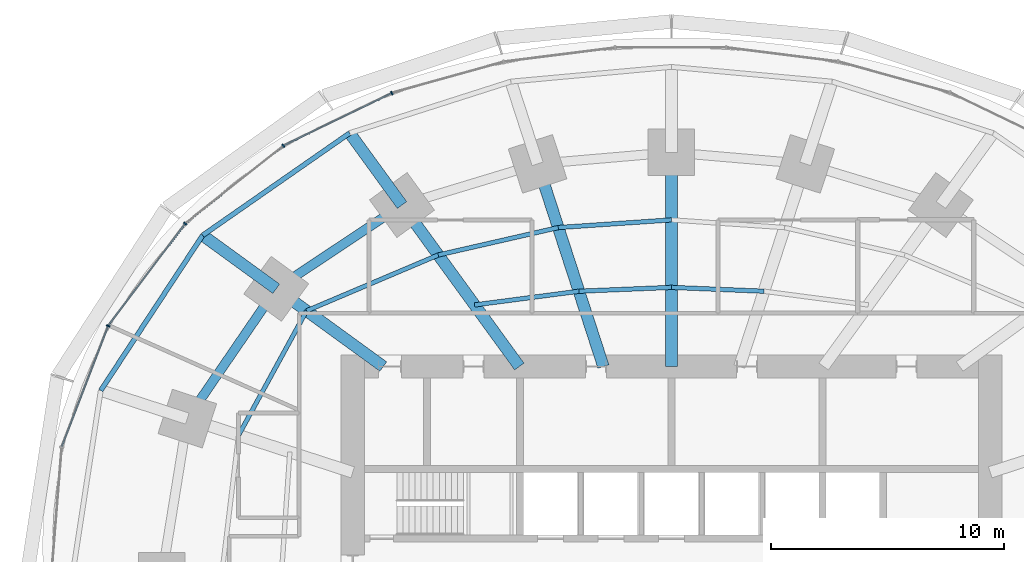
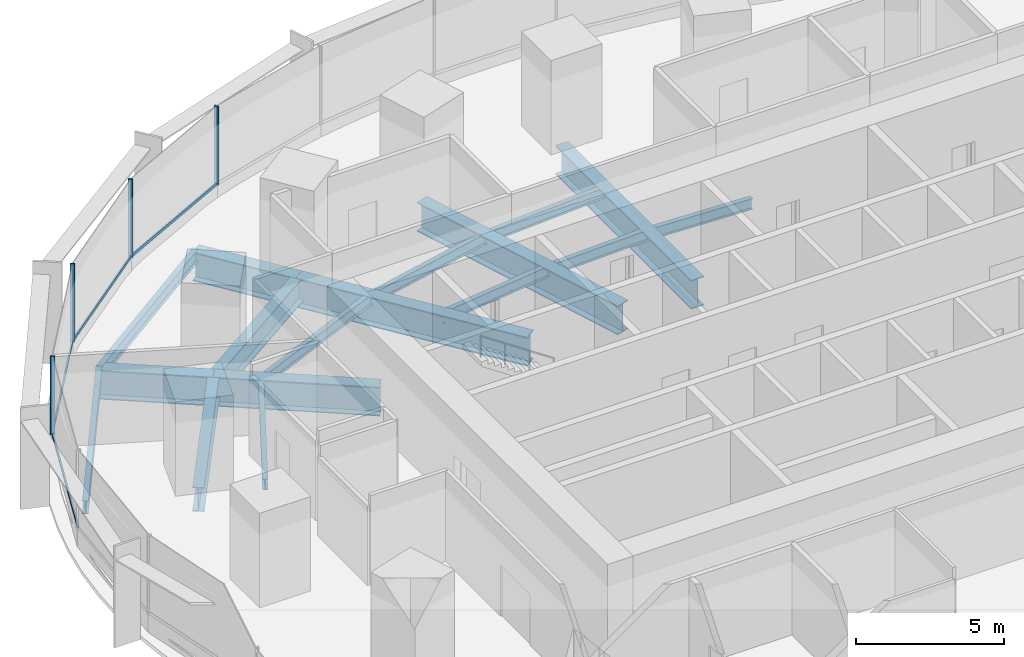
# One storey, part 7 of 15: 17 beams, 8 members, 1 element without a shape of its own.
"""IFC4 building model written with IfcOpenShell, lengths in metres."""

import ifcopenshell
import ifcopenshell.guid

model = None  # the IFC model being written
_history = None  # IfcOwnerHistory: only IFC2X3 demands one
_inside = {}  # id of a spatial element -> (the spatial element, [elements in it])
_under = {}  # id of a project, library or spatial element -> (it, [spatial elements below it])
_declared = {}  # id of a project -> (the project, [libraries it declares])
_typed = {}  # id of a type object -> (the type object, [elements of that type])
_made_of = {}  # id of a material, layer set ... -> (it, [elements and type objects made of it])


def new_model(schema):
    """Start an empty IFC model of exactly this schema.

    Asked for "IFC4X3", IfcOpenShell would pick the latest addendum, in which some entities
    have other attributes; the version numbers below select the first issue.
    IFC2X3 requires an IfcOwnerHistory on every rooted entity: one is made here for all.
    """
    global model, _history
    if schema == "IFC4X3":
        model = ifcopenshell.file(schema_version=(4, 3, 0, 0))
    else:
        model = ifcopenshell.file(schema=schema)
    _inside.clear()
    _under.clear()
    _declared.clear()
    _typed.clear()
    _made_of.clear()
    _history = None
    if model.schema == "IFC2X3":
        org = make("IfcOrganization", Name="unknown")
        user = make(
            "IfcPersonAndOrganization",
            ThePerson=make("IfcPerson", FamilyName="unknown"),
            TheOrganization=org,
        )
        app = make(
            "IfcApplication",
            ApplicationDeveloper=org,
            Version="unknown",
            ApplicationFullName="unknown",
            ApplicationIdentifier="unknown",
        )
        _history = make(
            "IfcOwnerHistory",
            OwningUser=user,
            OwningApplication=app,
            ChangeAction="ADDED",
            CreationDate=0,
        )
    return model


def make(cls, **values):
    """One entity of the class cls with the attributes given. An attribute that is None is left unset."""
    return model.create_entity(
        cls, **{name: value for name, value in values.items() if value is not None}
    )


def rooted(cls, **values):
    """An entity with a GlobalId (a new one), such as an element, a storey or a relation."""
    return make(cls, GlobalId=ifcopenshell.guid.new(), OwnerHistory=_history, **values)


def si_unit(unit_type, name, prefix=None):
    """IfcSIUnit, for example si_unit("LENGTHUNIT", "METRE", prefix="MILLI")."""
    return make("IfcSIUnit", UnitType=unit_type, Prefix=prefix, Name=name)


def assignment(units):
    """IfcUnitAssignment: the units of a project."""
    return None if units is None else make("IfcUnitAssignment", Units=units)


def point(xyz):
    """IfcCartesianPoint."""
    return None if xyz is None else make("IfcCartesianPoint", Coordinates=xyz)


def direction(xyz):
    """IfcDirection."""
    return None if xyz is None else make("IfcDirection", DirectionRatios=xyz)


def frame(location, z_axis=None, x_axis=None):
    """IfcAxis2Placement3D, a coordinate frame: its origin and axes. An axis left out is left unset."""
    return make(
        "IfcAxis2Placement3D",
        Location=point(location),
        Axis=direction(z_axis),
        RefDirection=direction(x_axis),
    )


def frame_2d(location, x_axis=None):
    """IfcAxis2Placement2D, a coordinate frame in the plane: its origin and x axis."""
    return make(
        "IfcAxis2Placement2D", Location=point(location), RefDirection=direction(x_axis)
    )


def origin():
    """The frame at (0, 0, 0) with its axes left unset."""
    return frame((0.0, 0.0, 0.0))


def origin_2d():
    """The frame at (0, 0) in the plane with its x axis left unset."""
    return frame_2d((0.0, 0.0))


def place(relative_to, where):
    """IfcLocalPlacement: puts the frame where relative to a parent placement (None: the world)."""
    return make(
        "IfcLocalPlacement", PlacementRelTo=relative_to, RelativePlacement=where
    )


def context(
    kind, dimensions, precision=None, world=None, true_north=None, identifier=None
):
    """IfcGeometricRepresentationContext, for example the 3D "Model" context."""
    return make(
        "IfcGeometricRepresentationContext",
        ContextIdentifier=identifier,
        ContextType=kind,
        CoordinateSpaceDimension=dimensions,
        Precision=precision,
        WorldCoordinateSystem=world,
        TrueNorth=true_north,
    )


def subcontext(parent, identifier, kind, view, scale=None):
    """IfcGeometricRepresentationSubContext, for example "Body" below "Model"."""
    return make(
        "IfcGeometricRepresentationSubContext",
        ContextIdentifier=identifier,
        ContextType=kind,
        ParentContext=parent,
        TargetScale=scale,
        TargetView=view,
    )


def project(units=None, contexts=None):
    """IfcProject with its units and contexts."""
    return rooted(
        "IfcProject",
        Name="project",
        RepresentationContexts=contexts,
        UnitsInContext=assignment(units),
    )


def spatial(cls, under=None, at=None, **own):
    """A site, building, storey or space (cls), placed at a placement, below another one or the project."""
    s = rooted(cls, ObjectPlacement=at, **own)
    if under is not None:
        _under.setdefault(under.id(), (under, []))[1].append(s)
    return s


def profile(cls, at=None, kind="AREA", **sizes):
    """A parametric profile (cls). Its sizes go by their IFC names, for example OverallWidth=200.0."""
    return make(cls, ProfileType=kind, Position=at, **sizes)


def rectangle(**sizes):
    """IfcRectangleProfileDef."""
    return profile("IfcRectangleProfileDef", **sizes)


def i_section(**sizes):
    """IfcIShapeProfileDef."""
    return profile("IfcIShapeProfileDef", **sizes)


def extrude(swept, where, along, depth):
    """IfcExtrudedAreaSolid: the profile swept, set in the frame where, extruded along a direction by depth."""
    return make(
        "IfcExtrudedAreaSolid",
        SweptArea=swept,
        Position=where,
        ExtrudedDirection=direction(along),
        Depth=depth,
    )


def shape(context_of_items, identifier, shape_type, items):
    """IfcShapeRepresentation: the items that make up one representation, for example the "Body"."""
    return make(
        "IfcShapeRepresentation",
        ContextOfItems=context_of_items,
        RepresentationIdentifier=identifier,
        RepresentationType=shape_type,
        Items=items,
    )


def material(Name=None, Category=None):
    """IfcMaterial."""
    return make("IfcMaterial", Name=Name, Category=Category)


def material_profile(
    of_material, cross_section, Name=None, Category=None, Priority=None
):
    """IfcMaterialProfile: a cross section and its material."""
    return make(
        "IfcMaterialProfile",
        Name=Name,
        Material=of_material,
        Profile=cross_section,
        Priority=Priority,
        Category=Category,
    )


def profile_set(profiles, Name=None, composite=None):
    """IfcMaterialProfileSet."""
    return make(
        "IfcMaterialProfileSet",
        Name=Name,
        MaterialProfiles=profiles,
        CompositeProfile=composite,
    )


def made_of(thing, what):
    """Note that an element or type object is made of a material, layer set ...; save() writes the relation."""
    if what is not None:
        _made_of.setdefault(what.id(), (what, []))[1].append(thing)
    return thing


def type_object(cls, material=None, **own):
    """A type object (cls), such as IfcWallType, which elements share."""
    return made_of(rooted(cls, **own), material)


def element(
    cls,
    number,
    at=None,
    inside=None,
    cuts=None,
    type_object=None,
    material=None,
    context=None,
    identifier="Body",
    shape_type=None,
    held_by="IfcProductDefinitionShape",
    body=None,
    shapes=None,
    **own,
):
    """One element of the class cls, such as IfcWall. Its Tag is "e" and its number.

    at: its placement. inside: the storey or other place that contains it. cuts: it is an
    opening in that element (IfcRelVoidsElement). A single representation is given by context,
    identifier, shape_type and body (its items); several are given by shapes. held_by: the class
    of the entity that holds the representations. save() writes the other relations.
    """
    e = rooted(cls, Tag="e%d" % number, ObjectPlacement=at, **own)
    if body is not None:
        shapes = [shape(context, identifier, shape_type, body)]
    if shapes is not None:
        e.Representation = make(held_by, Representations=shapes)
    if inside is not None:
        _inside.setdefault(inside.id(), (inside, []))[1].append(e)
    if cuts is not None:
        rooted(
            "IfcRelVoidsElement", RelatingBuildingElement=cuts, RelatedOpeningElement=e
        )
    if type_object is not None:
        _typed.setdefault(type_object.id(), (type_object, []))[1].append(e)
    return made_of(e, material)


def aggregate(whole, parts):
    """IfcRelAggregates: a whole, such as a stair, and the parts it consists of."""
    return rooted("IfcRelAggregates", RelatingObject=whole, RelatedObjects=parts)


def save(model, path):
    """Write the relations noted so far, then the file.

    IfcRelAggregates (storeys below a building ...), IfcRelContainedInSpatialStructure (elements
    in a storey), IfcRelDefinesByType, IfcRelAssociatesMaterial and IfcRelDeclares: one each for
    every whole, place, type object, material and project.
    """
    for whole, parts in _under.values():
        aggregate(whole, parts)
    for where, things in _inside.values():
        rooted(
            "IfcRelContainedInSpatialStructure",
            RelatedElements=things,
            RelatingStructure=where,
        )
    for kind, things in _typed.values():
        rooted("IfcRelDefinesByType", RelatedObjects=things, RelatingType=kind)
    for what, things in _made_of.values():
        rooted("IfcRelAssociatesMaterial", RelatedObjects=things, RelatingMaterial=what)
    for by, libraries in _declared.values():
        rooted("IfcRelDeclares", RelatingContext=by, RelatedDefinitions=libraries)
    model.write(path)


model = new_model("IFC4")

# Units and contexts
model_context = context("Model", 3, precision=1e-05, world=origin(), true_north=direction((0.0, 1.0)))
body_context = subcontext(model_context, "Body", "Model", "MODEL_VIEW")
ifc_project = project(units=[si_unit("LENGTHUNIT", "METRE"), si_unit("AREAUNIT", "SQUARE_METRE"), si_unit("VOLUMEUNIT", "CUBIC_METRE"), si_unit("PLANEANGLEUNIT", "RADIAN"), si_unit("MASSUNIT", "GRAM", prefix="KILO")], contexts=[model_context])

# Site, building, storey
site_placement = place(None, origin())
site = spatial("IfcSite", under=ifc_project, at=site_placement, CompositionType="ELEMENT")
building_placement = place(site_placement, origin())
building = spatial("IfcBuilding", under=site, at=building_placement, Name="Marramba Exchange Tower", CompositionType="ELEMENT")
storey_placement = place(building_placement, frame((0.0, 0.0, 40.60009765625)))
storey = spatial("IfcBuildingStorey", under=building, at=storey_placement, Name="L09", CompositionType="ELEMENT", Elevation=40.60009765625)

# Beams
ifc_material_1 = material(Name="Steel AS/NZS 3679.2 grade 300", Category="steel")
ifc_material_profile_1 = material_profile(ifc_material_1, i_section(OverallWidth=0.5, OverallDepth=1.199951171875, WebThickness=0.01611328125, FlangeThickness=0.0400390625, at=origin_2d()), Name="1200WB455")
ifc_profile_set_1 = profile_set([ifc_material_profile_1], Name="Steel AS/NZS 3679.2 grade 300")
beam_type_1 = type_object("IfcBeamType", Name="Cantilever girder 1200WB455", PredefinedType="BEAM", material=ifc_profile_set_1)
beam_1_placement = place(storey_placement, frame((-11.581298828125, 15.9404296875, -0.760009765625), z_axis=(-0.587795827483, 0.809009310944, 0.0), x_axis=(-0.809009310944, -0.587795827483, 0.0)))
element("IfcBeam", 1, at=beam_1_placement, inside=storey, type_object=beam_type_1, Name="Cantilever girder L09 TC08", PredefinedType="BEAM", context=body_context, shape_type="SweptSolid", body=[
    extrude(i_section(OverallWidth=0.5, OverallDepth=1.199951171875, WebThickness=0.01611328125, FlangeThickness=0.0400390625, at=origin_2d()), origin(), (0.0, 0.0, 1.0), 3.82421875),
])
beam_2_placement = place(storey_placement, frame((-16.98583984375, 12.3408203125, -0.760009765625), z_axis=(-0.808987260856, 0.587826174793, 0.0), x_axis=(-0.587826174793, -0.808987260856, 0.0)))
element("IfcBeam", 2, at=beam_2_placement, inside=storey, type_object=beam_type_1, Name="Cantilever girder L09 TC09", PredefinedType="BEAM", context=body_context, shape_type="SweptSolid", body=[
    extrude(i_section(OverallWidth=0.5, OverallDepth=1.199951171875, WebThickness=0.01611328125, FlangeThickness=0.0400390625, at=origin_2d()), origin(), (0.0, 0.0, 1.0), 3.90771484375),
])
ifc_material_2 = material(Name="Steel AS/NZS 3679.1 grade 300", Category="steel")
ifc_material_profile_2 = material_profile(ifc_material_2, i_section(OverallWidth=0.18994140625, OverallDepth=0.4541015625, WebThickness=0.008544921875, FlangeThickness=0.0126953125, FilletRadius=0.011474609375, at=origin_2d()), Name="460UB67.1")
ifc_profile_set_2 = profile_set([ifc_material_profile_2], Name="Steel AS/NZS 3679.1 grade 300")
beam_type_2 = type_object("IfcBeamType", Name="Floor joist 460UB67.1", PredefinedType="JOIST", material=ifc_profile_set_2)
for number, where, z_axis, x_axis, name in (
    (3, (3.975830078125, 12.236083984375, -0.38720703125), (-0.999137002892, 0.041536122257, 0.0), (-0.041536122257, -0.999137002892, 0.0), "Joist L09 bay 05 row 1"),
    (4, (0.0, 12.4013671875, -0.38720703125), (-0.999137002892, -0.041536122257, 0.0), (0.041536122257, -0.999137002892, 0.0), "Joist L09 bay 06 row 1"),
):
    element("IfcBeam", number, at=place(storey_placement, frame(where, z_axis=z_axis, x_axis=x_axis)), inside=storey, type_object=beam_type_2, Name=name, PredefinedType="JOIST", context=body_context, shape_type="SweptSolid", body=[
        extrude(i_section(OverallWidth=0.18994140625, OverallDepth=0.4541015625, WebThickness=0.008544921875, FlangeThickness=0.0126953125, FilletRadius=0.011474609375, at=origin_2d()), origin(), (0.0, 0.0, 1.0), 3.979248046875),
    ])
beam_3_placement = place(storey_placement, frame((0.0, 15.302734375, -0.38720703125), z_axis=(-0.997702652202, -0.067745241816, 0.0), x_axis=(0.067745241816, -0.997702652202, 0.0)))
element("IfcBeam", 5, at=beam_3_placement, inside=storey, type_object=beam_type_2, Name="Joist L09 bay 06 row 2", PredefinedType="JOIST", context=body_context, shape_type="SweptSolid", body=[
    extrude(i_section(OverallWidth=0.18994140625, OverallDepth=0.4541015625, WebThickness=0.008544921875, FlangeThickness=0.0126953125, FilletRadius=0.011474609375, at=origin_2d()), origin(), (0.0, 0.0, 1.0), 4.8759765625),
])
beam_4_placement = place(storey_placement, frame((-3.975830078125, 12.236083984375, -0.38720703125), z_axis=(-0.991480538255, -0.130254912618, 0.0), x_axis=(0.130254912618, -0.991480538255, 0.0)))
element("IfcBeam", 6, at=beam_4_placement, inside=storey, type_object=beam_type_2, Name="Joist L09 bay 07 row 1", PredefinedType="JOIST", context=body_context, shape_type="SweptSolid", body=[
    extrude(i_section(OverallWidth=0.18994140625, OverallDepth=0.4541015625, WebThickness=0.008544921875, FlangeThickness=0.0126953125, FilletRadius=0.011474609375, at=origin_2d()), origin(), (0.0, 0.0, 1.0), 4.524658203125),
])
beam_5_placement = place(storey_placement, frame((-4.86474609375, 14.972412109375, -0.38720703125), z_axis=(-0.974859652292, -0.222819788916, 0.0), x_axis=(0.222819788916, -0.974859652292, 0.0)))
element("IfcBeam", 7, at=beam_5_placement, inside=storey, type_object=beam_type_2, Name="Joist L09 bay 07 row 2", PredefinedType="JOIST", context=body_context, shape_type="SweptSolid", body=[
    extrude(i_section(OverallWidth=0.18994140625, OverallDepth=0.4541015625, WebThickness=0.008544921875, FlangeThickness=0.0126953125, FilletRadius=0.011474609375, at=origin_2d()), origin(), (0.0, 0.0, 1.0), 5.2900390625),
])
beam_6_placement = place(storey_placement, frame((-10.021728515625, 13.793701171875, -0.38720703125), z_axis=(-0.920674336375, -0.390331610738, 0.0), x_axis=(0.390331610738, -0.920674336375, 0.0)))
element("IfcBeam", 8, at=beam_6_placement, inside=storey, type_object=beam_type_2, Name="Joist L09 bay 08 row 2", PredefinedType="JOIST", context=body_context, shape_type="SweptSolid", body=[
    extrude(i_section(OverallWidth=0.18994140625, OverallDepth=0.4541015625, WebThickness=0.008544921875, FlangeThickness=0.0126953125, FilletRadius=0.011474609375, at=origin_2d()), origin(), (0.0, 0.0, 1.0), 6.1484375),
])
beam_7_placement = place(storey_placement, frame((-15.682373046875, 11.393798828125, -0.38720703125), z_axis=(-0.479584443791, -0.877495732909, 0.0), x_axis=(0.877495732909, -0.479584443791, 0.0)))
element("IfcBeam", 9, at=beam_7_placement, inside=storey, type_object=beam_type_2, Name="Joist L09 bay 09 row 2", PredefinedType="JOIST", context=body_context, shape_type="SweptSolid", body=[
    extrude(i_section(OverallWidth=0.18994140625, OverallDepth=0.4541015625, WebThickness=0.008544921875, FlangeThickness=0.0126953125, FilletRadius=0.011474609375, at=origin_2d()), origin(), (0.0, 0.0, 1.0), 6.094970703125),
])
ifc_material_profile_3 = material_profile(ifc_material_1, i_section(OverallWidth=0.5, OverallDepth=1.199951171875, WebThickness=0.01611328125, FlangeThickness=0.0400390625, at=origin_2d()), Name="1200WB455")
ifc_profile_set_3 = profile_set([ifc_material_profile_3], Name="Steel AS/NZS 3679.2 grade 300")
beam_type_3 = type_object("IfcBeamType", Name="Radial girder 1200WB455", PredefinedType="BEAM", material=ifc_profile_set_3)
beam_8_placement = place(storey_placement, frame((0.0, 9.0, -0.760009765625), z_axis=(0.0, 1.0, 0.0), x_axis=(-1.0, 0.0, 0.0)))
element("IfcBeam", 10, at=beam_8_placement, inside=storey, type_object=beam_type_3, Name="Radial girder L09 TC06", PredefinedType="BEAM", context=body_context, shape_type="SweptSolid", body=[
    extrude(i_section(OverallWidth=0.5, OverallDepth=1.199951171875, WebThickness=0.01611328125, FlangeThickness=0.0400390625, at=origin_2d()), origin(), (0.0, 0.0, 1.0), 9.2041015625),
])
beam_9_placement = place(storey_placement, frame((-2.92431640625, 9.0, -0.760009765625), z_axis=(-0.309019754162, 0.951055619582, 0.0), x_axis=(-0.951055619582, -0.309019754162, 0.0)))
element("IfcBeam", 11, at=beam_9_placement, inside=storey, type_object=beam_type_3, Name="Radial girder L09 TC07", PredefinedType="BEAM", context=body_context, shape_type="SweptSolid", body=[
    extrude(i_section(OverallWidth=0.5, OverallDepth=1.199951171875, WebThickness=0.01611328125, FlangeThickness=0.0400390625, at=origin_2d()), origin(), (0.0, 0.0, 1.0), 9.15673828125),
])
beam_10_placement = place(storey_placement, frame((-6.538818359375, 9.0, -0.760009765625), z_axis=(-0.587782439969, 0.80901903764, 0.0), x_axis=(-0.80901903764, -0.587782439969, 0.0)))
element("IfcBeam", 12, at=beam_10_placement, inside=storey, type_object=beam_type_3, Name="Radial girder L09 TC08", PredefinedType="BEAM", context=body_context, shape_type="SweptSolid", body=[
    extrude(i_section(OverallWidth=0.5, OverallDepth=1.199951171875, WebThickness=0.01611328125, FlangeThickness=0.0400390625, at=origin_2d()), origin(), (0.0, 0.0, 1.0), 8.578857421875),
])
beam_11_placement = place(storey_placement, frame((-12.387451171875, 9.0, -0.760009765625), z_axis=(-0.809025746925, 0.587773205252, 0.0), x_axis=(-0.587773205252, -0.809025746925, 0.0)))
element("IfcBeam", 13, at=beam_11_placement, inside=storey, type_object=beam_type_3, Name="Radial girder L09 TC09", PredefinedType="BEAM", context=body_context, shape_type="SweptSolid", body=[
    extrude(i_section(OverallWidth=0.5, OverallDepth=1.199951171875, WebThickness=0.01611328125, FlangeThickness=0.0400390625, at=origin_2d()), origin(), (0.0, 0.0, 1.0), 5.683837890625),
])
ifc_material_profile_4 = material_profile(ifc_material_1, i_section(OverallWidth=0.39990234375, OverallDepth=1.0, WebThickness=0.01611328125, FlangeThickness=0.031982421875, at=origin_2d()), Name="1000WB322")
ifc_profile_set_4 = profile_set([ifc_material_profile_4], Name="Steel AS/NZS 3679.2 grade 300")
beam_type_4 = type_object("IfcBeamType", Name="Ring beam 1000WB322", PredefinedType="SPANDREL", material=ifc_profile_set_4)
beam_12_placement = place(storey_placement, frame((-11.581298828125, 15.9404296875, -0.66015625), z_axis=(-0.832293151443, -0.554335737673, 0.0), x_axis=(0.554335737673, -0.832293151443, 0.0)))
element("IfcBeam", 14, at=beam_12_placement, inside=storey, type_object=beam_type_4, Name="Ring beam L09 TC08-TC09", PredefinedType="SPANDREL", context=body_context, shape_type="SweptSolid", body=[
    extrude(i_section(OverallWidth=0.39990234375, OverallDepth=1.0, WebThickness=0.01611328125, FlangeThickness=0.031982421875, at=origin_2d()), origin(), (0.0, 0.0, 1.0), 6.49365234375),
])
beam_13_placement = place(storey_placement, frame((-16.98583984375, 12.3408203125, -0.66015625), z_axis=(-0.56516002054, -0.824981303535, 0.0), x_axis=(0.824981303535, -0.56516002054, 0.0)))
element("IfcBeam", 15, at=beam_13_placement, inside=storey, type_object=beam_type_4, Name="Ring beam L09 TC09-TC10", PredefinedType="SPANDREL", context=body_context, shape_type="SweptSolid", body=[
    extrude(i_section(OverallWidth=0.39990234375, OverallDepth=1.0, WebThickness=0.01611328125, FlangeThickness=0.031982421875, at=origin_2d()), origin(), (0.0, 0.0, 1.0), 6.763671875),
])
ifc_material_profile_5 = material_profile(ifc_material_2, i_section(OverallWidth=0.208984375, OverallDepth=0.528076171875, WebThickness=0.009521484375, FlangeThickness=0.01318359375, FilletRadius=0.013916015625, at=origin_2d()), Name="530UB82.0")
ifc_profile_set_5 = profile_set([ifc_material_profile_5], Name="Steel AS/NZS 3679.1 grade 300")
beam_type_5 = type_object("IfcBeamType", Name="Slab edge beam 530UB82.0", PredefinedType="SPANDREL", material=ifc_profile_set_5)
beam_14_placement = place(storey_placement, frame((-13.8291015625, 19.0341796875, -0.424072265625), z_axis=(-0.820842487183, -0.571154629882, 0.0), x_axis=(0.571154629882, -0.820842487183, 0.0)))
element("IfcBeam", 16, at=beam_14_placement, inside=storey, type_object=beam_type_5, Name="Slab edge beam L09 TC08-TC09", PredefinedType="SPANDREL", context=body_context, shape_type="SweptSolid", body=[
    extrude(i_section(OverallWidth=0.208984375, OverallDepth=0.528076171875, WebThickness=0.009521484375, FlangeThickness=0.01318359375, FilletRadius=0.013916015625, at=origin_2d()), origin(), (0.0, 0.0, 1.0), 7.697021484375),
])
beam_15_placement = place(storey_placement, frame((-20.147216796875, 14.637939453125, -0.424072265625), z_axis=(-0.549123544095, -0.835741188001, 0.0), x_axis=(0.835741188001, -0.549123544095, 0.0)))
element("IfcBeam", 17, at=beam_15_placement, inside=storey, type_object=beam_type_5, Name="Slab edge beam L09 TC09-TC10", PredefinedType="SPANDREL", context=body_context, shape_type="SweptSolid", body=[
    extrude(i_section(OverallWidth=0.208984375, OverallDepth=0.528076171875, WebThickness=0.009521484375, FlangeThickness=0.01318359375, FilletRadius=0.013916015625, at=origin_2d()), origin(), (0.0, 0.0, 1.0), 7.978759765625),
])

# Curtain wall, members
ifc_material_3 = material(Name="Aluminium framing, bronze anodised", Category="aluminium")
curtain_wall_type = type_object("IfcCurtainWallType", Name="Trading floor ribbon curtain wall", PredefinedType="USERDEFINED", material=ifc_material_3)
curtain_wall_placement = place(storey_placement, origin())
curtain_wall = element("IfcCurtainWall", 18, at=curtain_wall_placement, inside=storey, type_object=curtain_wall_type, Name="Curtain wall CW3 L09 F11-F15", ObjectType="RIBBON CURTAIN WALL", PredefinedType="USERDEFINED")
ifc_material_4 = material(Name="Aluminium mullion, bronze anodised", Category="aluminium")
ifc_material_profile_6 = material_profile(ifc_material_4, rectangle(XDim=0.159912109375, YDim=0.06005859375, at=origin_2d()), Name="CW3 mullion 60x160")
ifc_profile_set_6 = profile_set([ifc_material_profile_6], Name="Aluminium mullion, bronze anodised")
member_type_1 = type_object("IfcMemberType", Name="Trading floor ribbon curtain wall mullion", PredefinedType="MULLION", material=ifc_profile_set_6)
member_1_placement = place(storey_placement, frame((-12.016357421875, 20.7529296875, 0.7998046875), z_axis=(0.0, 0.0, 1.0), x_axis=(0.43596538664, -0.899963433508, 0.0)))
member_1 = element("IfcMember", 19, at=member_1_placement, type_object=member_type_1, Name="CW3 mullion 1", PredefinedType="MULLION", context=body_context, shape_type="SweptSolid", body=[
    extrude(rectangle(XDim=0.159912109375, YDim=0.06005859375, at=origin_2d()), origin(), (0.0, 0.0, 1.0), 3.239990234375),
])
member_2_placement = place(storey_placement, frame((-16.683837890625, 18.484619140625, 0.7998046875), z_axis=(0.0, 0.0, 1.0), x_axis=(0.620649730166, -0.784087949432, 0.0)))
member_2 = element("IfcMember", 20, at=member_2_placement, type_object=member_type_1, Name="CW3 mullion 1", PredefinedType="MULLION", context=body_context, shape_type="SweptSolid", body=[
    extrude(rectangle(XDim=0.159912109375, YDim=0.06005859375, at=origin_2d()), origin(), (0.0, 0.0, 1.0), 3.239990234375),
])
member_3_placement = place(storey_placement, frame((-20.8935546875, 15.142822265625, 0.7998046875), z_axis=(0.0, 0.0, 1.0), x_axis=(0.797748922445, -0.602989765036, 0.0)))
member_3 = element("IfcMember", 21, at=member_3_placement, type_object=member_type_1, Name="CW3 mullion 1", PredefinedType="MULLION", context=body_context, shape_type="SweptSolid", body=[
    extrude(rectangle(XDim=0.159912109375, YDim=0.06005859375, at=origin_2d()), origin(), (0.0, 0.0, 1.0), 3.239990234375),
])
member_4_placement = place(storey_placement, frame((-24.207275390625, 10.7451171875, 0.7998046875), z_axis=(0.0, 0.0, 1.0), x_axis=(0.933135256626, -0.359525510698, 0.0)))
member_4 = element("IfcMember", 22, at=member_4_placement, type_object=member_type_1, Name="CW3 mullion 1", PredefinedType="MULLION", context=body_context, shape_type="SweptSolid", body=[
    extrude(rectangle(XDim=0.159912109375, YDim=0.06005859375, at=origin_2d()), origin(), (0.0, 0.0, 1.0), 3.239990234375),
])
ifc_material_5 = material(Name="Aluminium transom, bronze anodised", Category="aluminium")
ifc_material_profile_7 = material_profile(ifc_material_5, rectangle(XDim=0.06005859375, YDim=0.1201171875, at=origin_2d()), Name="CW3 transom 60x120")
ifc_profile_set_7 = profile_set([ifc_material_profile_7], Name="Aluminium transom, bronze anodised")
member_type_2 = type_object("IfcMemberType", Name="Trading floor ribbon curtain wall transom", PredefinedType="USERDEFINED", material=ifc_profile_set_7)
member_5_placement = place(storey_placement, frame((-12.043212890625, 20.739990234375, 0.829833984375), z_axis=(-0.89995331781, -0.43598626786, 0.0), x_axis=(0.43598626786, -0.89995331781, 0.0)))
member_5 = element("IfcMember", 23, at=member_5_placement, type_object=member_type_2, Name="CW3 sill transom", ObjectType="TRANSOM", PredefinedType="USERDEFINED", context=body_context, shape_type="SweptSolid", body=[
    extrude(rectangle(XDim=0.06005859375, YDim=0.1201171875, at=origin_2d()), origin(), (0.0, 0.0, 1.0), 5.13037109375),
])
member_6_placement = place(storey_placement, frame((-16.70751953125, 18.466064453125, 0.829833984375), z_axis=(-0.784075625018, -0.620665299701, 0.0), x_axis=(0.620665299701, -0.784075625018, 0.0)))
member_6 = element("IfcMember", 24, at=member_6_placement, type_object=member_type_2, Name="CW3 sill transom", ObjectType="TRANSOM", PredefinedType="USERDEFINED", context=body_context, shape_type="SweptSolid", body=[
    extrude(rectangle(XDim=0.06005859375, YDim=0.1201171875, at=origin_2d()), origin(), (0.0, 0.0, 1.0), 5.315673828125),
])
member_7_placement = place(storey_placement, frame((-20.91162109375, 15.118896484375, 0.829833984375), z_axis=(-0.602985866158, -0.797751869452, 0.0), x_axis=(0.797751869452, -0.602985866158, 0.0)))
member_7 = element("IfcMember", 25, at=member_7_placement, type_object=member_type_2, Name="CW3 sill transom", ObjectType="TRANSOM", PredefinedType="USERDEFINED", context=body_context, shape_type="SweptSolid", body=[
    extrude(rectangle(XDim=0.06005859375, YDim=0.1201171875, at=origin_2d()), origin(), (0.0, 0.0, 1.0), 5.44775390625),
])
member_8_placement = place(storey_placement, frame((-24.218017578125, 10.717041015625, 0.829833984375), z_axis=(-0.359533581349, -0.933132147063, 0.0), x_axis=(0.933132147063, -0.359533581349, 0.0)))
member_8 = element("IfcMember", 26, at=member_8_placement, type_object=member_type_2, Name="CW3 sill transom", ObjectType="TRANSOM", PredefinedType="USERDEFINED", context=body_context, shape_type="SweptSolid", body=[
    extrude(rectangle(XDim=0.06005859375, YDim=0.1201171875, at=origin_2d()), origin(), (0.0, 0.0, 1.0), 5.5166015625),
])
aggregate(curtain_wall, [member_1, member_5, member_2, member_6, member_3, member_7, member_4, member_8])

save(model, "model.ifc")
